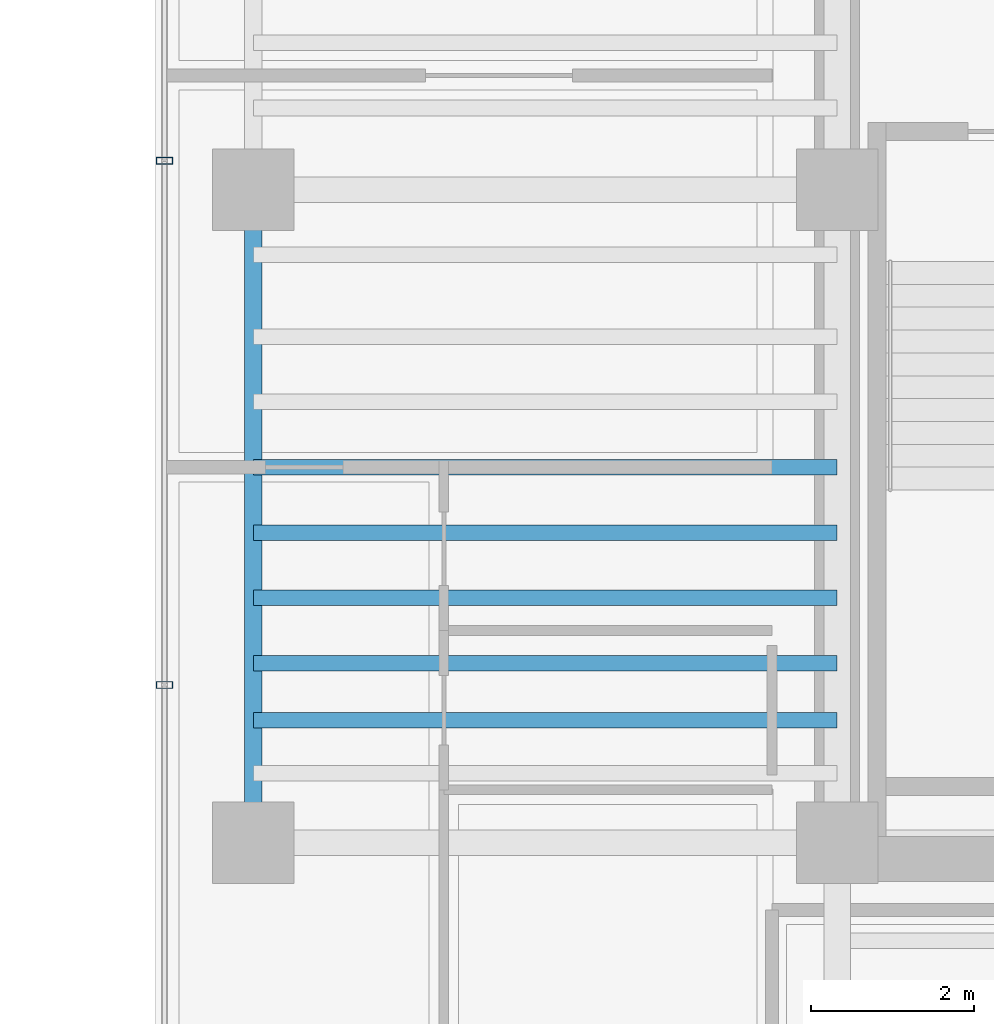
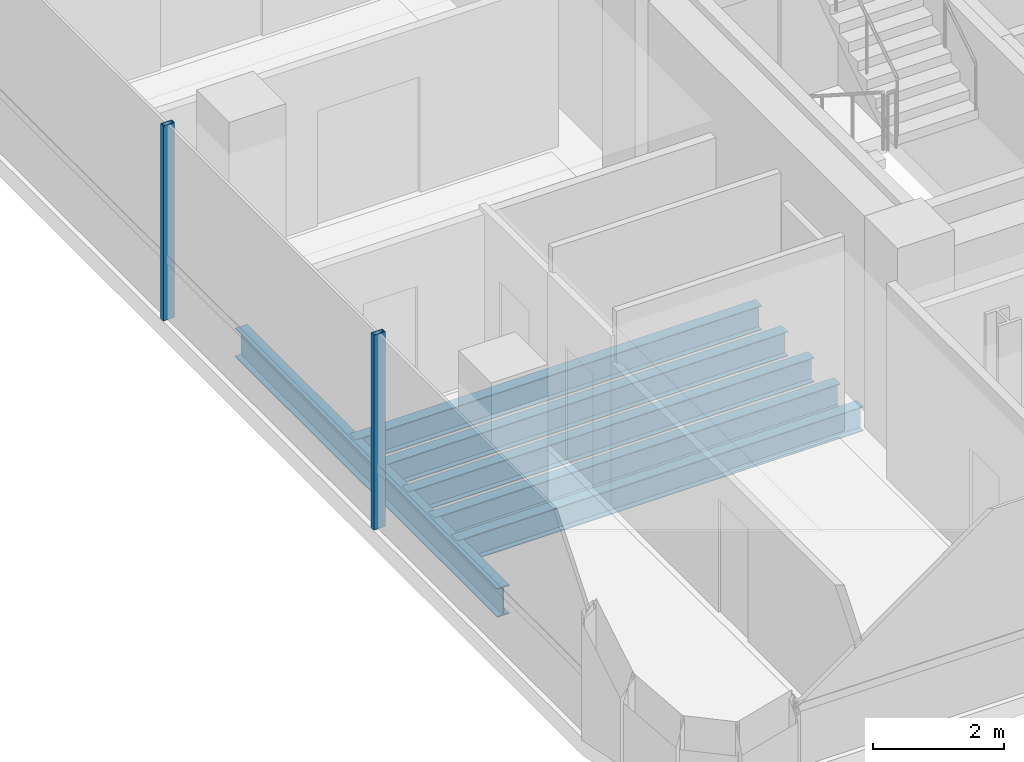
# One storey, part 4 of 39: 6 beams, 2 members, 1 element without a shape of its own.
"""IFC4 building model written with IfcOpenShell, lengths in metres."""

from ifc_helpers import new_model, si_unit, direction, frame, origin, origin_2d, place, context, subcontext, project, spatial, hollow_rectangle, i_section, extrude, source, transform, mapped, material, material_profile, profile_set, type_object, element, aggregate, save


model = new_model("IFC4")

# Units and contexts
model_context = context("Model", 3, precision=1e-05, world=origin(), true_north=direction((0.0, 1.0)))
body_context = subcontext(model_context, "Body", "Model", "MODEL_VIEW")
ifc_project = project(units=[si_unit("LENGTHUNIT", "METRE"), si_unit("AREAUNIT", "SQUARE_METRE"), si_unit("VOLUMEUNIT", "CUBIC_METRE"), si_unit("PLANEANGLEUNIT", "RADIAN"), si_unit("MASSUNIT", "GRAM", prefix="KILO")], contexts=[model_context])

# Site, building, storey
site_placement = place(None, origin())
site = spatial("IfcSite", under=ifc_project, at=site_placement, CompositionType="ELEMENT")
building_placement = place(site_placement, origin())
building = spatial("IfcBuilding", under=site, at=building_placement, Name="Valdorenza Pilgrim Sanctuary Tower", CompositionType="ELEMENT")
storey_placement = place(building_placement, frame((0.0, 0.0, 184.449951171875)))
storey = spatial("IfcBuildingStorey", under=building, at=storey_placement, Name="L47", CompositionType="ELEMENT", Elevation=184.449951171875)

# Beams
ifc_material_1 = material(Name="Steel ASTM A992 Grade 50", Category="steel")
ifc_material_profile_1 = material_profile(ifc_material_1, i_section(OverallWidth=0.19091796875, OverallDepth=0.45703125, WebThickness=0.009033203125, FlangeThickness=0.014404296875, at=origin_2d()), Name="W18X50")
ifc_profile_set_1 = profile_set([ifc_material_profile_1], Name="Steel ASTM A992 Grade 50")
beam_type_1 = type_object("IfcBeamType", Name="STR-BM-JST-W18B", PredefinedType="JOIST", material=ifc_profile_set_1)
shared_shape_1 = source(origin(), body_context, "Body", "SweptSolid", [
    extrude(i_section(OverallWidth=0.19091796875, OverallDepth=0.45703125, WebThickness=0.009033203125, FlangeThickness=0.014404296875, at=origin_2d()), origin(), (0.0, 0.0, 1.0), 7.150146484375),
])
for number, where, z_axis, x_axis, name in (
    (1, (-29.800048828125, -9.10009765625, -0.54833984375), (1.0, 0.0, 0.0), (0.0, 1.0, 0.0), "L47 Composite Floor Joist JST-WA-2"),
    (2, (-29.800048828125, -8.39990234375, -0.54833984375), (1.0, 0.0, 0.0), (0.0, 1.0, 0.0), "L47 Composite Floor Joist JST-WA-3"),
    (3, (-29.800048828125, -7.60009765625, -0.54833984375), (1.0, 0.0, 0.0), (0.0, 1.0, 0.0), "L47 Composite Floor Joist JST-WA-4"),
    (4, (-29.800048828125, -6.800048828125, -0.54833984375), (1.0, 0.0, 0.0), (0.0, 1.0, 0.0), "L47 Composite Floor Joist JST-WA-5"),
    (5, (-29.800048828125, -6.0, -0.54833984375), (1.0, 0.0, 0.0), (0.0, 1.0, 0.0), "L47 Composite Floor Joist JST-WA-6"),
):
    element("IfcBeam", number, at=place(storey_placement, frame(where, z_axis=z_axis, x_axis=x_axis)), inside=storey, type_object=beam_type_1, Name=name, PredefinedType="JOIST", context=body_context, shape_type="MappedRepresentation", body=[
        mapped(shared_shape_1, transform((0.0, 0.0, 0.0), x_axis=(1.0, 0.0, 0.0), y_axis=(0.0, 1.0, 0.0), z_axis=(0.0, 0.0, 1.0), scale=1.0)),
    ])
ifc_material_profile_2 = material_profile(ifc_material_1, i_section(OverallWidth=0.2109375, OverallDepth=0.5390625, WebThickness=0.01171875, FlangeThickness=0.018798828125, at=origin_2d()), Name="W21X73")
ifc_profile_set_2 = profile_set([ifc_material_profile_2], Name="Steel ASTM A992 Grade 50")
beam_type_2 = type_object("IfcBeamType", Name="STR-BM-SPN-W21B", PredefinedType="SPANDREL", material=ifc_profile_set_2)
shared_shape_2 = source(origin(), body_context, "Body", "SweptSolid", [
    extrude(i_section(OverallWidth=0.2109375, OverallDepth=0.5390625, WebThickness=0.01171875, FlangeThickness=0.018798828125, at=origin_2d()), origin(), (0.0, 0.0, 1.0), 8.0),
])
beam_placement = place(storey_placement, frame((-29.800048828125, -10.60009765625, -0.58935546875), z_axis=(0.0, 1.0, 0.0), x_axis=(-1.0, 0.0, 0.0)))
element("IfcBeam", 6, at=beam_placement, inside=storey, type_object=beam_type_2, Name="L47 Spandrel Beam WA-W-S1M0", PredefinedType="SPANDREL", context=body_context, shape_type="MappedRepresentation", body=[
    mapped(shared_shape_2, transform((0.0, 0.0, 0.0), x_axis=(1.0, 0.0, 0.0), y_axis=(0.0, 1.0, 0.0), z_axis=(0.0, 0.0, 1.0), scale=1.0)),
])

# Curtain wall, members
ifc_material_2 = material(Name="Curtain-wall IGU glazing", Category="glass")
curtain_wall_type = type_object("IfcCurtainWallType", Name="CW-SYS-02", PredefinedType="NOTDEFINED", material=ifc_material_2)
curtain_wall_placement = place(storey_placement, origin())
curtain_wall = element("IfcCurtainWall", 7, at=curtain_wall_placement, inside=storey, type_object=curtain_wall_type, Name="L47 Curtain Wall CW-L47-1-1S1", PredefinedType="NOTDEFINED")
ifc_material_3 = material(Name="Anodised aluminium AW-6060", Category="aluminium")
ifc_material_profile_3 = material_profile(ifc_material_3, hollow_rectangle(XDim=0.0849609375, YDim=0.199951171875, WallThickness=0.0048828125, at=origin_2d()), Name="ALU-M 200x85x5")
ifc_profile_set_3 = profile_set([ifc_material_profile_3], Name="Anodised aluminium AW-6060")
member_type = type_object("IfcMemberType", Name="CW-MUL-02", PredefinedType="MULLION", material=ifc_profile_set_3)
shared_shape_3 = source(origin(), body_context, "Body", "SweptSolid", [
    extrude(hollow_rectangle(XDim=0.0849609375, YDim=0.199951171875, WallThickness=0.0048828125, at=origin_2d()), origin(), (0.0, 0.0, 1.0), 3.630126953125),
])
member_1_placement = place(storey_placement, frame((-30.889892578125, -8.6669921875, 0.0), z_axis=(0.0, 0.0, 1.0), x_axis=(0.0, 1.0, 0.0)))
member_1 = element("IfcMember", 8, at=member_1_placement, type_object=member_type, Name="CW-L47-1-1S1 Mullion 2", PredefinedType="MULLION", context=body_context, shape_type="MappedRepresentation", body=[
    mapped(shared_shape_3, transform((0.0, 0.0, 0.0), x_axis=(1.0, 0.0, 0.0), y_axis=(0.0, 1.0, 0.0), z_axis=(0.0, 0.0, 1.0), scale=1.0)),
])
member_2_placement = place(storey_placement, frame((-30.889892578125, -2.24462890625, 0.0), z_axis=(0.0, 0.0, 1.0), x_axis=(0.0, 1.0, 0.0)))
member_2 = element("IfcMember", 9, at=member_2_placement, type_object=member_type, Name="CW-L47-1-1S1 Mullion 3", PredefinedType="MULLION", context=body_context, shape_type="MappedRepresentation", body=[
    mapped(shared_shape_3, transform((0.0, 0.0, 0.0), x_axis=(1.0, 0.0, 0.0), y_axis=(0.0, 1.0, 0.0), z_axis=(0.0, 0.0, 1.0), scale=1.0)),
])
aggregate(curtain_wall, [member_1, member_2])

save(model, "model.ifc")
